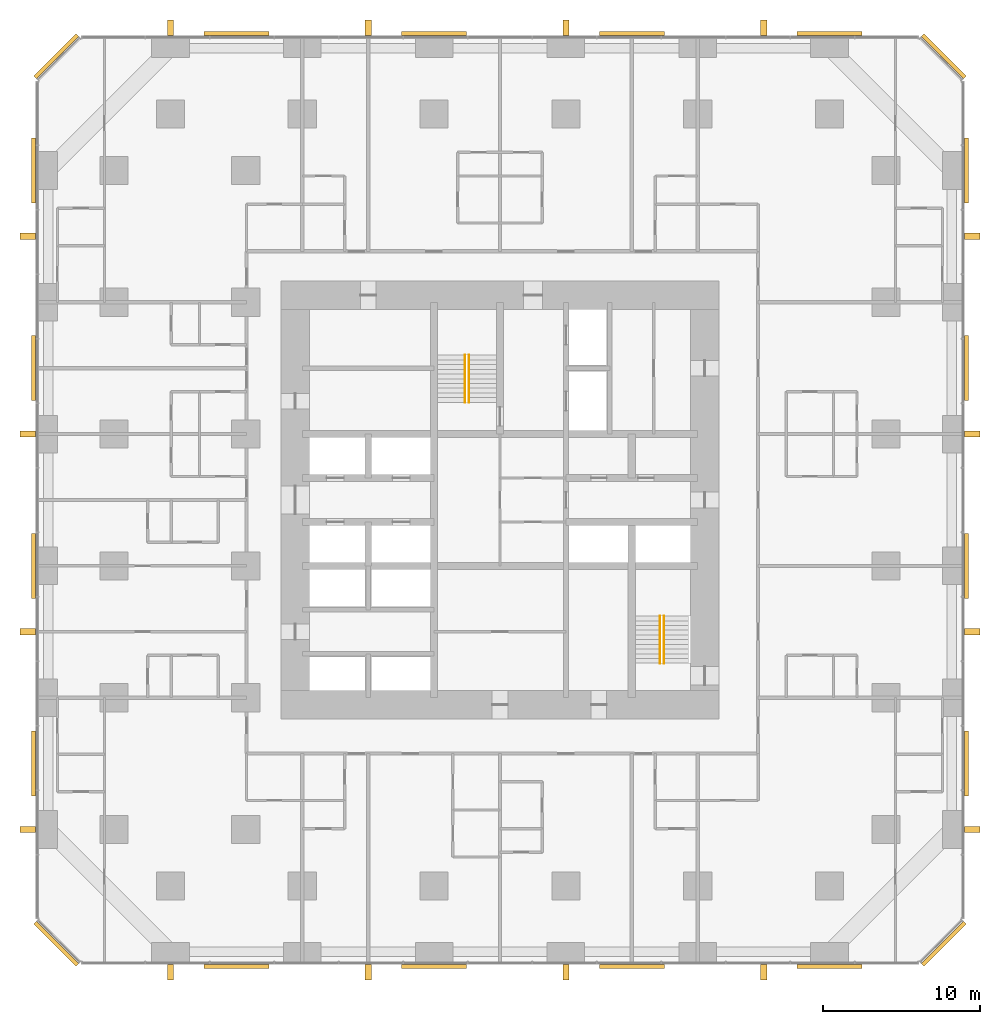
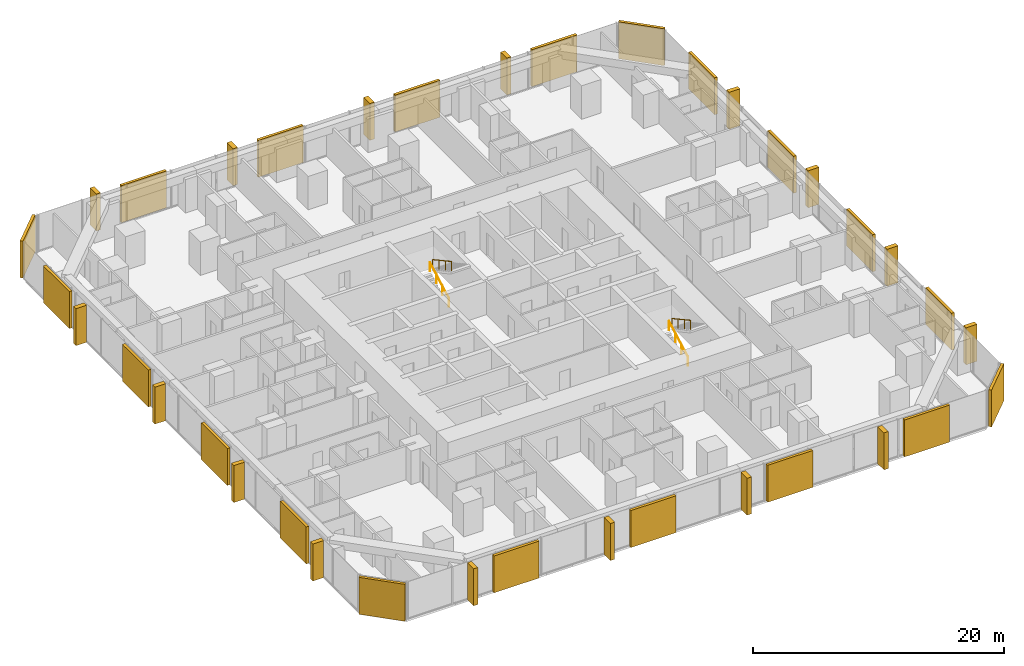
# One storey, part 17 of 17: 20 coverings, 16 shading devices, 4 railings.
"""IFC4 building model written with IfcOpenShell, lengths in metres."""

from ifc_helpers import new_model, si_unit, direction, frame, origin, origin_2d, place, context, subcontext, project, spatial, rectangle, circle, extrude, material, layer, layer_set, type_object, element, save


model = new_model("IFC4")

# Units and contexts
model_context = context("Model", 3, precision=1e-05, world=origin(), true_north=direction((0.0, 1.0)))
body_context = subcontext(model_context, "Body", "Model", "MODEL_VIEW")
ifc_project = project(units=[si_unit("LENGTHUNIT", "METRE"), si_unit("AREAUNIT", "SQUARE_METRE"), si_unit("VOLUMEUNIT", "CUBIC_METRE"), si_unit("PLANEANGLEUNIT", "RADIAN"), si_unit("MASSUNIT", "GRAM", prefix="KILO")], contexts=[model_context])

# Site, building, storey
site_placement = place(None, origin())
site = spatial("IfcSite", under=ifc_project, at=site_placement, CompositionType="ELEMENT")
building_placement = place(site_placement, origin())
building = spatial("IfcBuilding", under=site, at=building_placement, Name="Dunama Terrace Hotel", CompositionType="ELEMENT")
storey_placement = place(building_placement, frame((0.0, 0.0, 41.39990234375)))
storey = spatial("IfcBuildingStorey", under=building, at=storey_placement, Name="L09", CompositionType="ELEMENT", Elevation=41.39990234375)

# Railings
ifc_material_1 = material(Name="Stainless steel handrail", Category="steel")
railing_type = type_object("IfcRailingType", Name="Stair handrail 900", PredefinedType="HANDRAIL", material=ifc_material_1)
railing_1_placement = place(storey_placement, frame((27.175048828125, 35.625, 0.163818359375)))
element("IfcRailing", 1, at=railing_1_placement, inside=storey, type_object=railing_type, Name="Handrail ST1 L09", PredefinedType="HANDRAIL", context=body_context, shape_type="SweptSolid", body=[
    extrude(circle(Radius=0.02392578125, at=origin_2d()), frame((0.0, 0.0, 0.8759765625), z_axis=(0.0, 0.877911954615, 0.47882209634), x_axis=(-1.0, 0.0, 0.0)), (0.0, 0.0, 1.0), 3.417236328125),
    extrude(circle(Radius=0.02099609375, at=origin_2d()), origin(), (0.0, 0.0, 1.0), 0.851806640625),
    extrude(circle(Radius=0.02099609375, at=origin_2d()), frame((0.0, 1.0, 0.54541015625)), (0.0, 0.0, 1.0), 0.851806640625),
    extrude(circle(Radius=0.02099609375, at=origin_2d()), frame((0.0, 2.0, 1.0908203125)), (0.0, 0.0, 1.0), 0.851806640625),
    extrude(circle(Radius=0.02099609375, at=origin_2d()), frame((0.0, 3.0, 1.63623046875)), (0.0, 0.0, 1.0), 0.851806640625),
])
railing_2_placement = place(storey_placement, frame((27.425048828125, 38.625, 1.963623046875)))
element("IfcRailing", 2, at=railing_2_placement, inside=storey, type_object=railing_type, Name="Handrail ST1 L09", PredefinedType="HANDRAIL", context=body_context, shape_type="SweptSolid", body=[
    extrude(circle(Radius=0.02392578125, at=origin_2d()), frame((0.0, 0.0, 0.8759765625), z_axis=(0.0, -0.877881921179, 0.478877158013), x_axis=(1.0, 0.0, 0.0)), (0.0, 0.0, 1.0), 3.417236328125),
    extrude(circle(Radius=0.02099609375, at=origin_2d()), origin(), (0.0, 0.0, 1.0), 0.851806640625),
    extrude(circle(Radius=0.02099609375, at=origin_2d()), frame((0.0, -1.0, 0.54541015625)), (0.0, 0.0, 1.0), 0.851806640625),
    extrude(circle(Radius=0.02099609375, at=origin_2d()), frame((0.0, -2.0, 1.091064453125)), (0.0, 0.0, 1.0), 0.851806640625),
    extrude(circle(Radius=0.02099609375, at=origin_2d()), frame((0.0, -3.0, 1.636474609375)), (0.0, 0.0, 1.0), 0.851806640625),
])
railing_3_placement = place(storey_placement, frame((39.60009765625, 19.0, 0.163818359375)))
element("IfcRailing", 3, at=railing_3_placement, inside=storey, type_object=railing_type, Name="Handrail ST2 L09", PredefinedType="HANDRAIL", context=body_context, shape_type="SweptSolid", body=[
    extrude(circle(Radius=0.02392578125, at=origin_2d()), frame((0.0, 0.0, 0.8759765625), z_axis=(0.0, 0.877911954615, 0.47882209634), x_axis=(-1.0, 0.0, 0.0)), (0.0, 0.0, 1.0), 3.417236328125),
    extrude(circle(Radius=0.02099609375, at=origin_2d()), origin(), (0.0, 0.0, 1.0), 0.851806640625),
    extrude(circle(Radius=0.02099609375, at=origin_2d()), frame((0.0, 1.0, 0.54541015625)), (0.0, 0.0, 1.0), 0.851806640625),
    extrude(circle(Radius=0.02099609375, at=origin_2d()), frame((0.0, 2.0, 1.0908203125)), (0.0, 0.0, 1.0), 0.851806640625),
    extrude(circle(Radius=0.02099609375, at=origin_2d()), frame((0.0, 3.0, 1.63623046875)), (0.0, 0.0, 1.0), 0.851806640625),
])
railing_4_placement = place(storey_placement, frame((39.85009765625, 22.0, 1.963623046875)))
element("IfcRailing", 4, at=railing_4_placement, inside=storey, type_object=railing_type, Name="Handrail ST2 L09", PredefinedType="HANDRAIL", context=body_context, shape_type="SweptSolid", body=[
    extrude(circle(Radius=0.02392578125, at=origin_2d()), frame((0.0, 0.0, 0.8759765625), z_axis=(0.0, -0.877881921179, 0.478877158013), x_axis=(1.0, 0.0, 0.0)), (0.0, 0.0, 1.0), 3.417236328125),
    extrude(circle(Radius=0.02099609375, at=origin_2d()), origin(), (0.0, 0.0, 1.0), 0.851806640625),
    extrude(circle(Radius=0.02099609375, at=origin_2d()), frame((0.0, -1.0, 0.54541015625)), (0.0, 0.0, 1.0), 0.851806640625),
    extrude(circle(Radius=0.02099609375, at=origin_2d()), frame((0.0, -2.0, 1.091064453125)), (0.0, 0.0, 1.0), 0.851806640625),
    extrude(circle(Radius=0.02099609375, at=origin_2d()), frame((0.0, -3.0, 1.636474609375)), (0.0, 0.0, 1.0), 0.851806640625),
])

# Coverings
ifc_material_2 = material(Name="Warm reconstituted stone panel", Category="masonry")
ifc_layer_1 = layer(ifc_material_2, 0.25)
ifc_layer_set_1 = layer_set([ifc_layer_1], Name="Stone diagonal panel")
covering_type = type_object("IfcCoveringType", Name="Stone diagonal panel", PredefinedType="CLADDING", material=ifc_layer_set_1)
for number, where, z_axis, x_axis, name in (
    (5, (12.60009765625, -0.322998046875, 0.001953125), (0.0, 0.0, 1.0), (1.0, 0.0, 0.0), "Stone diagonal panel L09"),
    (6, (25.199951171875, -0.322998046875, 0.001953125), (0.0, 0.0, 1.0), (1.0, 0.0, 0.0), "Stone diagonal panel L09"),
    (7, (37.800048828125, -0.322998046875, 0.001953125), (0.0, 0.0, 1.0), (1.0, 0.0, 0.0), "Stone diagonal panel L09"),
    (8, (50.39990234375, -0.322998046875, 0.001953125), (0.0, 0.0, 1.0), (1.0, 0.0, 0.0), "Stone diagonal panel L09"),
):
    element("IfcCovering", number, at=place(storey_placement, frame(where, z_axis=z_axis, x_axis=x_axis)), inside=storey, type_object=covering_type, Name=name, PredefinedType="CLADDING", context=body_context, shape_type="SweptSolid", body=[
        extrude(rectangle(XDim=4.14990234375, YDim=0.25, at=origin_2d()), origin(), (0.0, 0.0, 1.0), 3.595947265625),
    ])
covering_1_placement = place(storey_placement, frame((57.678955078125, 1.12109375, 0.001953125), z_axis=(0.0, 0.0, 1.0), x_axis=(0.707106781187, 0.707106781187, 0.0)))
element("IfcCovering", 9, at=covering_1_placement, inside=storey, type_object=covering_type, Name="Stone diagonal panel L09", PredefinedType="CLADDING", context=body_context, shape_type="SweptSolid", body=[
    extrude(rectangle(XDim=3.808349609375, YDim=0.25, at=origin_2d()), origin(), (0.0, 0.0, 1.0), 3.595947265625),
])
for number, where, z_axis, x_axis, name in (
    (10, (59.123046875, 12.60009765625, 0.001953125), (0.0, 0.0, 1.0), (0.0, 1.0, 0.0), "Stone diagonal panel L09"),
    (11, (59.123046875, 25.199951171875, 0.001953125), (0.0, 0.0, 1.0), (0.0, 1.0, 0.0), "Stone diagonal panel L09"),
    (12, (59.123046875, 37.800048828125, 0.001953125), (0.0, 0.0, 1.0), (0.0, 1.0, 0.0), "Stone diagonal panel L09"),
    (13, (59.123046875, 50.39990234375, 0.001953125), (0.0, 0.0, 1.0), (0.0, 1.0, 0.0), "Stone diagonal panel L09"),
):
    element("IfcCovering", number, at=place(storey_placement, frame(where, z_axis=z_axis, x_axis=x_axis)), inside=storey, type_object=covering_type, Name=name, PredefinedType="CLADDING", context=body_context, shape_type="SweptSolid", body=[
        extrude(rectangle(XDim=4.14990234375, YDim=0.25, at=origin_2d()), origin(), (0.0, 0.0, 1.0), 3.595947265625),
    ])
covering_2_placement = place(storey_placement, frame((57.678955078125, 57.678955078125, 0.001953125), z_axis=(0.0, 0.0, 1.0), x_axis=(-0.707106781187, 0.707106781187, 0.0)))
element("IfcCovering", 14, at=covering_2_placement, inside=storey, type_object=covering_type, Name="Stone diagonal panel L09", PredefinedType="CLADDING", context=body_context, shape_type="SweptSolid", body=[
    extrude(rectangle(XDim=3.808349609375, YDim=0.25, at=origin_2d()), origin(), (0.0, 0.0, 1.0), 3.595947265625),
])
for number, where, z_axis, x_axis, name in (
    (15, (50.39990234375, 59.123046875, 0.001953125), (0.0, 0.0, 1.0), (-1.0, 0.0, 0.0), "Stone diagonal panel L09"),
    (16, (37.800048828125, 59.123046875, 0.001953125), (0.0, 0.0, 1.0), (-1.0, 0.0, 0.0), "Stone diagonal panel L09"),
    (17, (25.199951171875, 59.123046875, 0.001953125), (0.0, 0.0, 1.0), (-1.0, 0.0, 0.0), "Stone diagonal panel L09"),
    (18, (12.60009765625, 59.123046875, 0.001953125), (0.0, 0.0, 1.0), (-1.0, 0.0, 0.0), "Stone diagonal panel L09"),
):
    element("IfcCovering", number, at=place(storey_placement, frame(where, z_axis=z_axis, x_axis=x_axis)), inside=storey, type_object=covering_type, Name=name, PredefinedType="CLADDING", context=body_context, shape_type="SweptSolid", body=[
        extrude(rectangle(XDim=4.14990234375, YDim=0.25, at=origin_2d()), origin(), (0.0, 0.0, 1.0), 3.595947265625),
    ])
covering_3_placement = place(storey_placement, frame((1.12109375, 57.678955078125, 0.001953125), z_axis=(0.0, 0.0, 1.0), x_axis=(-0.707106781187, -0.707106781187, 0.0)))
element("IfcCovering", 19, at=covering_3_placement, inside=storey, type_object=covering_type, Name="Stone diagonal panel L09", PredefinedType="CLADDING", context=body_context, shape_type="SweptSolid", body=[
    extrude(rectangle(XDim=3.808349609375, YDim=0.25, at=origin_2d()), origin(), (0.0, 0.0, 1.0), 3.595947265625),
])
for number, where, z_axis, x_axis, name in (
    (20, (-0.322998046875, 50.39990234375, 0.001953125), (0.0, 0.0, 1.0), (0.0, -1.0, 0.0), "Stone diagonal panel L09"),
    (21, (-0.322998046875, 37.800048828125, 0.001953125), (0.0, 0.0, 1.0), (0.0, -1.0, 0.0), "Stone diagonal panel L09"),
    (22, (-0.322998046875, 25.199951171875, 0.001953125), (0.0, 0.0, 1.0), (0.0, -1.0, 0.0), "Stone diagonal panel L09"),
    (23, (-0.322998046875, 12.60009765625, 0.001953125), (0.0, 0.0, 1.0), (0.0, -1.0, 0.0), "Stone diagonal panel L09"),
):
    element("IfcCovering", number, at=place(storey_placement, frame(where, z_axis=z_axis, x_axis=x_axis)), inside=storey, type_object=covering_type, Name=name, PredefinedType="CLADDING", context=body_context, shape_type="SweptSolid", body=[
        extrude(rectangle(XDim=4.14990234375, YDim=0.25, at=origin_2d()), origin(), (0.0, 0.0, 1.0), 3.595947265625),
    ])
covering_4_placement = place(storey_placement, frame((1.12109375, 1.12109375, 0.001953125), z_axis=(0.0, 0.0, 1.0), x_axis=(0.707106781187, -0.707106781187, 0.0)))
element("IfcCovering", 24, at=covering_4_placement, inside=storey, type_object=covering_type, Name="Stone diagonal panel L09", PredefinedType="CLADDING", context=body_context, shape_type="SweptSolid", body=[
    extrude(rectangle(XDim=3.808349609375, YDim=0.25, at=origin_2d()), origin(), (0.0, 0.0, 1.0), 3.595947265625),
])

# Shading devices
ifc_material_3 = material(Name="Warm reconstituted stone fin", Category="masonry")
ifc_layer_2 = layer(ifc_material_3, 0.39990234375)
ifc_layer_set_2 = layer_set([ifc_layer_2], Name="Warm stone fin 400x1000")
shading_device_type = type_object("IfcShadingDeviceType", Name="Warm stone fin 400x1000", PredefinedType="USERDEFINED", material=ifc_layer_set_2)
for number, where, z_axis, x_axis, name in (
    (25, (8.39990234375, -0.68798828125, 0.0), (0.0, 0.0, 1.0), (1.0, 0.0, 0.0), "Stone fin"),
    (26, (21.0, -0.68798828125, 0.0), (0.0, 0.0, 1.0), (1.0, 0.0, 0.0), "Stone fin"),
    (27, (33.60009765625, -0.68798828125, 0.0), (0.0, 0.0, 1.0), (1.0, 0.0, 0.0), "Stone fin"),
    (28, (46.199951171875, -0.68798828125, 0.0), (0.0, 0.0, 1.0), (1.0, 0.0, 0.0), "Stone fin"),
    (29, (59.488037109375, 8.39990234375, 0.0), (0.0, 0.0, 1.0), (0.0, 1.0, 0.0), "Stone fin"),
    (30, (59.488037109375, 21.0, 0.0), (0.0, 0.0, 1.0), (0.0, 1.0, 0.0), "Stone fin"),
    (31, (59.488037109375, 33.60009765625, 0.0), (0.0, 0.0, 1.0), (0.0, 1.0, 0.0), "Stone fin"),
    (32, (59.488037109375, 46.199951171875, 0.0), (0.0, 0.0, 1.0), (0.0, 1.0, 0.0), "Stone fin"),
    (33, (46.199951171875, 59.488037109375, 0.0), (0.0, 0.0, 1.0), (-1.0, 0.0, 0.0), "Stone fin"),
    (34, (33.60009765625, 59.488037109375, 0.0), (0.0, 0.0, 1.0), (-1.0, 0.0, 0.0), "Stone fin"),
    (35, (21.0, 59.488037109375, 0.0), (0.0, 0.0, 1.0), (-1.0, 0.0, 0.0), "Stone fin"),
    (36, (8.39990234375, 59.488037109375, 0.0), (0.0, 0.0, 1.0), (-1.0, 0.0, 0.0), "Stone fin"),
    (37, (-0.68798828125, 46.199951171875, 0.0), (0.0, 0.0, 1.0), (0.0, -1.0, 0.0), "Stone fin"),
    (38, (-0.68798828125, 33.60009765625, 0.0), (0.0, 0.0, 1.0), (0.0, -1.0, 0.0), "Stone fin"),
    (39, (-0.68798828125, 21.0, 0.0), (0.0, 0.0, 1.0), (0.0, -1.0, 0.0), "Stone fin"),
    (40, (-0.68798828125, 8.39990234375, 0.0), (0.0, 0.0, 1.0), (0.0, -1.0, 0.0), "Stone fin"),
):
    element("IfcShadingDevice", number, at=place(storey_placement, frame(where, z_axis=z_axis, x_axis=x_axis)), inside=storey, type_object=shading_device_type, Name=name, ObjectType="FIN", PredefinedType="USERDEFINED", context=body_context, shape_type="SweptSolid", body=[
        extrude(rectangle(XDim=0.39990234375, YDim=1.0, at=origin_2d()), origin(), (0.0, 0.0, 1.0), 3.60009765625),
    ])

save(model, "model.ifc")
